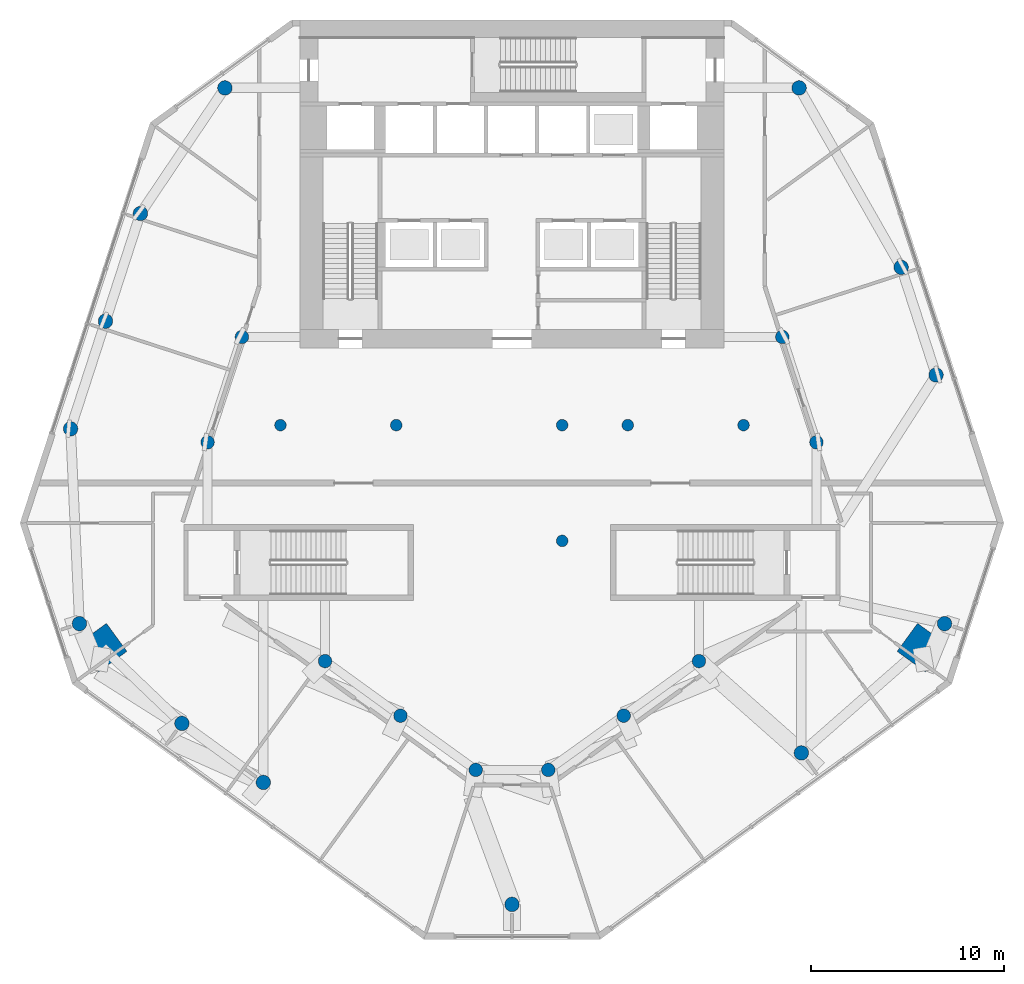
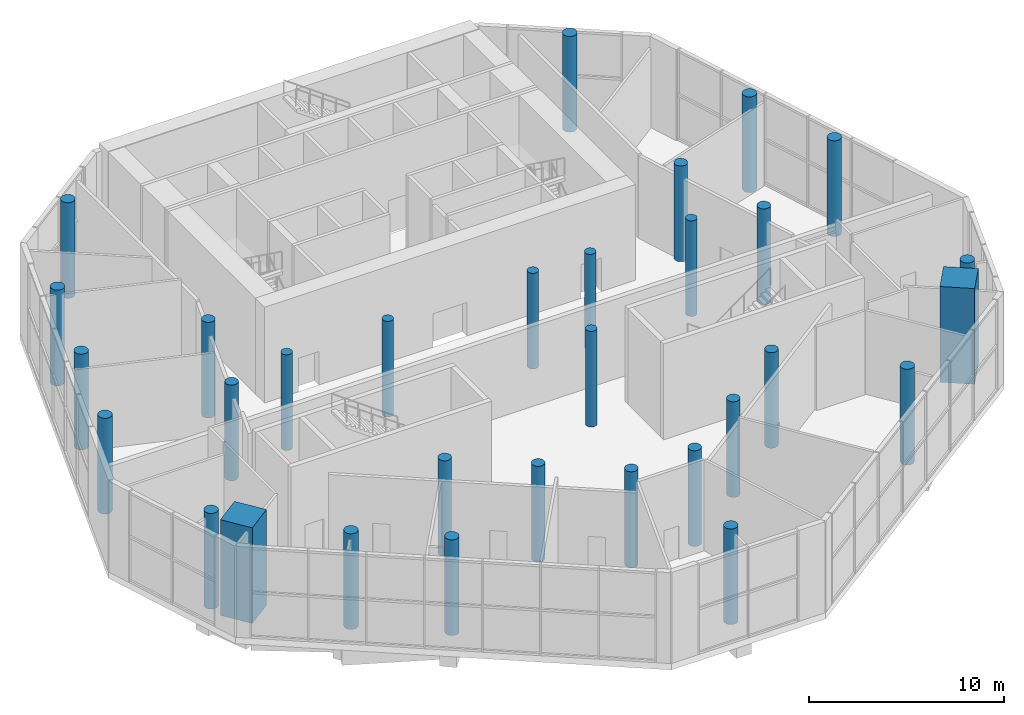
# One storey, part 1 of 14: 31 columns.
"""IFC4 building model written with IfcOpenShell, lengths in metres."""

from ifc_helpers import new_model, si_unit, direction, frame, origin, origin_2d, place, context, subcontext, project, spatial, rectangle, circle, extrude, material, material_profile, profile_set, type_object, element, save


model = new_model("IFC4")

# Units and contexts
model_context = context("Model", 3, precision=1e-05, world=origin(), true_north=direction((0.0, 1.0)))
body_context = subcontext(model_context, "Body", "Model", "MODEL_VIEW")
ifc_project = project(units=[si_unit("LENGTHUNIT", "METRE"), si_unit("AREAUNIT", "SQUARE_METRE"), si_unit("VOLUMEUNIT", "CUBIC_METRE"), si_unit("PLANEANGLEUNIT", "RADIAN"), si_unit("MASSUNIT", "GRAM", prefix="KILO")], contexts=[model_context])

# Site, building, storey
site_placement = place(None, origin())
site = spatial("IfcSite", under=ifc_project, at=site_placement, CompositionType="ELEMENT")
building_placement = place(site_placement, origin())
building = spatial("IfcBuilding", under=site, at=building_placement, Name="White Candle Pilgrim Tower", CompositionType="ELEMENT")
storey_placement = place(building_placement, frame((0.0, 0.0, 142.60009765625)))
storey = spatial("IfcBuildingStorey", under=building, at=storey_placement, Name="L32", CompositionType="ELEMENT", Elevation=142.60009765625)

# Columns
ifc_material = material(Name="Concrete C70/85", Category="concrete")
ifc_material_profile_1 = material_profile(ifc_material, circle(Radius=0.300048828125, at=origin_2d()), Name="RC-COL D600")
ifc_profile_set_1 = profile_set([ifc_material_profile_1], Name="Concrete C70/85")
column_type_1 = type_object("IfcColumnType", Name="Interior column RC-COL D600 C70/85", PredefinedType="COLUMN", material=ifc_profile_set_1)
for number, where, z_axis, x_axis, name in (
    (1, (58.0, 67.0, 0.0), (0.0, 0.0, 1.0), (1.0, 0.0, 0.0), "L32 column I01"),
    (2, (64.0, 67.0, 0.0), (0.0, 0.0, 1.0), (1.0, 0.0, 0.0), "L32 column I02"),
    (3, (72.60009765625, 61.0, 0.0), (0.0, 0.0, 1.0), (1.0, 0.0, 0.0), "L32 column I03"),
    (4, (72.60009765625, 67.0, 0.0), (0.0, 0.0, 1.0), (1.0, 0.0, 0.0), "L32 column I04"),
    (5, (76.0, 67.0, 0.0), (0.0, 0.0, 1.0), (1.0, 0.0, 0.0), "L32 column I05"),
    (6, (82.0, 67.0, 0.0), (0.0, 0.0, 1.0), (1.0, 0.0, 0.0), "L32 column I06"),
):
    element("IfcColumn", number, at=place(storey_placement, frame(where, z_axis=z_axis, x_axis=x_axis)), inside=storey, type_object=column_type_1, Name=name, PredefinedType="COLUMN", context=body_context, shape_type="SweptSolid", body=[
        extrude(circle(Radius=0.300048828125, at=origin_2d()), origin(), (0.0, 0.0, 1.0), 6.0),
    ])
ifc_material_profile_2 = material_profile(ifc_material, rectangle(XDim=1.800048828125, YDim=1.800048828125, at=origin_2d()), Name="RC 1800x1800")
ifc_profile_set_2 = profile_set([ifc_material_profile_2], Name="Concrete C70/85")
column_type_2 = type_object("IfcColumnType", Name="Mega column RC 1800x1800 C70/85", PredefinedType="COLUMN", material=ifc_profile_set_2)
for number, where, z_axis, x_axis, name in (
    (7, (48.780029296875, 55.469970703125, 0.0), (0.0, 0.0, 1.0), (-0.809016994375, -0.587785252292, 0.0), "L32 mega column T02"),
    (8, (91.219970703125, 55.469970703125, 0.0), (0.0, 0.0, 1.0), (0.809016994375, -0.587785252292, 0.0), "L32 mega column T07"),
):
    element("IfcColumn", number, at=place(storey_placement, frame(where, z_axis=z_axis, x_axis=x_axis)), inside=storey, type_object=column_type_2, Name=name, PredefinedType="COLUMN", context=body_context, shape_type="SweptSolid", body=[
        extrude(rectangle(XDim=1.800048828125, YDim=1.800048828125, at=origin_2d()), origin(), (0.0, 0.0, 1.0), 6.0),
    ])
ifc_material_profile_3 = material_profile(ifc_material, circle(Radius=0.375, at=origin_2d()), Name="RC-COL D750")
ifc_profile_set_3 = profile_set([ifc_material_profile_3], Name="Concrete C70/85")
column_type_3 = type_object("IfcColumnType", Name="Perimeter column RC-COL D750 C70/85", PredefinedType="COLUMN", material=ifc_profile_set_3)
for number, where, z_axis, x_axis, name in (
    (9, (47.580078125, 56.7099609375, 0.0), (0.0, 0.0, 1.0), (1.0, 0.0, 0.0), "L32 column T01"),
    (10, (52.889892578125, 51.5400390625, 0.0), (0.0, 0.0, 1.0), (1.0, 0.0, 0.0), "L32 column T03"),
    (11, (57.110107421875, 48.47998046875, 0.0), (0.0, 0.0, 1.0), (1.0, 0.0, 0.0), "L32 column T04"),
    (12, (70.0, 42.159912109375, 0.0), (0.0, 0.0, 1.0), (1.0, 0.0, 0.0), "L32 column T05"),
    (13, (85.0, 50.010009765625, 0.0), (0.0, 0.0, 1.0), (1.0, 0.0, 0.0), "L32 column T06"),
    (14, (92.419921875, 56.7099609375, 0.0), (0.0, 0.0, 1.0), (1.0, 0.0, 0.0), "L32 column T08"),
    (15, (91.97998046875, 69.60009765625, 0.0), (0.0, 0.0, 1.0), (1.0, 0.0, 0.0), "L32 column T09"),
    (16, (90.169921875, 75.179931640625, 0.0), (0.0, 0.0, 1.0), (1.0, 0.0, 0.0), "L32 column T10"),
    (17, (84.8798828125, 84.47998046875, 0.0), (0.0, 0.0, 1.0), (1.0, 0.0, 0.0), "L32 column T11"),
    (18, (55.1201171875, 84.47998046875, 0.0), (0.0, 0.0, 1.0), (1.0, 0.0, 0.0), "L32 column T12"),
    (19, (50.739990234375, 77.969970703125, 0.0), (0.0, 0.0, 1.0), (1.0, 0.0, 0.0), "L32 column T13"),
    (20, (48.929931640625, 72.389892578125, 0.0), (0.0, 0.0, 1.0), (1.0, 0.0, 0.0), "L32 column T14"),
    (21, (47.1201171875, 66.81005859375, 0.0), (0.0, 0.0, 1.0), (1.0, 0.0, 0.0), "L32 column T15"),
):
    element("IfcColumn", number, at=place(storey_placement, frame(where, z_axis=z_axis, x_axis=x_axis)), inside=storey, type_object=column_type_3, Name=name, PredefinedType="COLUMN", context=body_context, shape_type="SweptSolid", body=[
        extrude(circle(Radius=0.375, at=origin_2d()), origin(), (0.0, 0.0, 1.0), 6.0),
    ])
ifc_material_profile_4 = material_profile(ifc_material, circle(Radius=0.35009765625, at=origin_2d()), Name="RC-COL D700")
ifc_profile_set_4 = profile_set([ifc_material_profile_4], Name="Concrete C70/85")
column_type_4 = type_object("IfcColumnType", Name="Ring column RC-COL D700 C70/85", PredefinedType="COLUMN", material=ifc_profile_set_4)
for number, where, z_axis, x_axis, name in (
    (22, (60.31005859375, 54.77001953125, 0.0), (0.0, 0.0, 1.0), (1.0, 0.0, 0.0), "L32 column R01"),
    (23, (64.219970703125, 51.93994140625, 0.0), (0.0, 0.0, 1.0), (1.0, 0.0, 0.0), "L32 column R02"),
    (24, (68.1201171875, 49.1298828125, 0.0), (0.0, 0.0, 1.0), (1.0, 0.0, 0.0), "L32 column R03"),
    (25, (71.8798828125, 49.1298828125, 0.0), (0.0, 0.0, 1.0), (1.0, 0.0, 0.0), "L32 column R04"),
    (26, (75.7900390625, 51.93994140625, 0.0), (0.0, 0.0, 1.0), (1.0, 0.0, 0.0), "L32 column R05"),
    (27, (79.68994140625, 54.77001953125, 0.0), (0.0, 0.0, 1.0), (1.0, 0.0, 0.0), "L32 column R06"),
    (28, (85.780029296875, 66.110107421875, 0.0), (0.0, 0.0, 1.0), (1.0, 0.0, 0.0), "L32 column R07"),
    (29, (84.010009765625, 71.570068359375, 0.0), (0.0, 0.0, 1.0), (1.0, 0.0, 0.0), "L32 column R08"),
    (30, (56.0, 71.570068359375, 0.0), (0.0, 0.0, 1.0), (1.0, 0.0, 0.0), "L32 column R09"),
    (31, (54.219970703125, 66.110107421875, 0.0), (0.0, 0.0, 1.0), (1.0, 0.0, 0.0), "L32 column R10"),
):
    element("IfcColumn", number, at=place(storey_placement, frame(where, z_axis=z_axis, x_axis=x_axis)), inside=storey, type_object=column_type_4, Name=name, PredefinedType="COLUMN", context=body_context, shape_type="SweptSolid", body=[
        extrude(circle(Radius=0.35009765625, at=origin_2d()), origin(), (0.0, 0.0, 1.0), 6.0),
    ])

save(model, "model.ifc")
